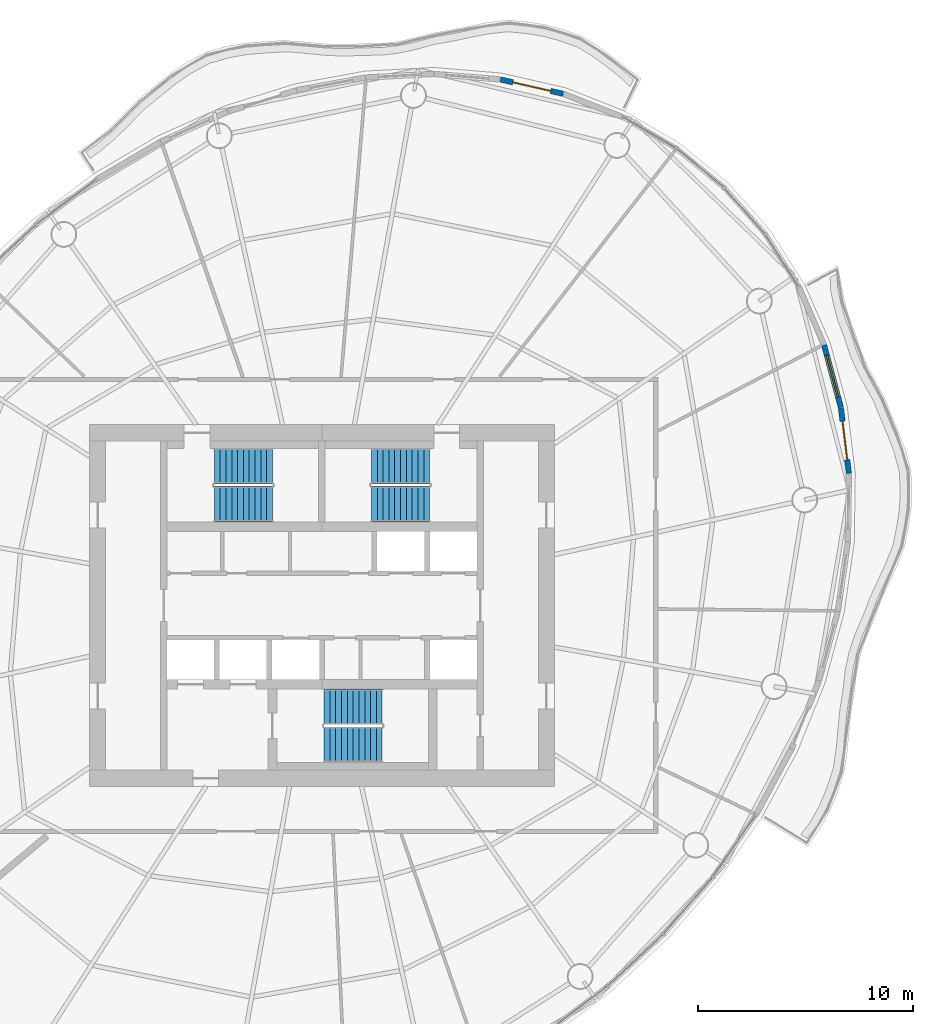
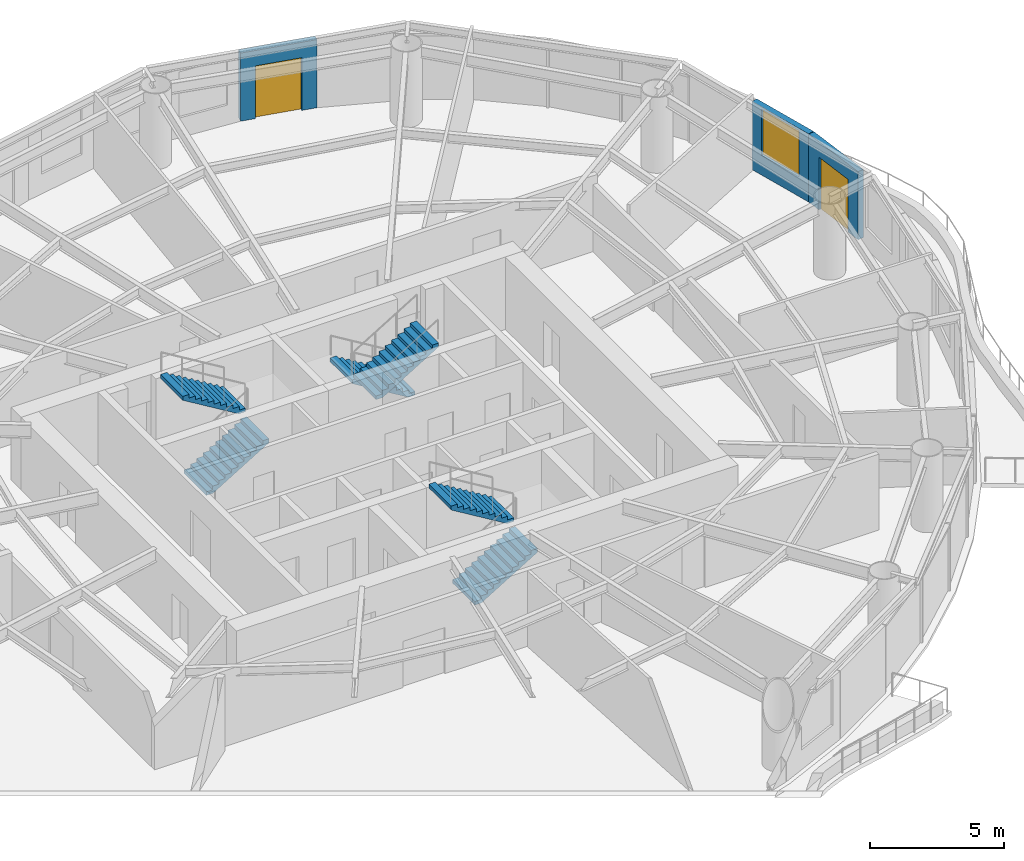
# One storey, part 11 of 14: 6 stair flights, 3 walls, 2 doors, 1 window, 3 openings, 3 elements without a shape of their own.
"""IFC4 building model written with IfcOpenShell, lengths in metres."""

from ifc_helpers import new_model, si_unit, direction, frame, frame_2d, origin, place, context, subcontext, project, spatial, polyline, rectangle, outline, extrude, material, layer, layer_set, type_object, element, fill, aggregate, save


model = new_model("IFC4")

# Units and contexts
model_context = context("Model", 3, precision=1e-05, world=origin(), true_north=direction((0.0, 1.0)))
body_context = subcontext(model_context, "Body", "Model", "MODEL_VIEW")
ifc_project = project(units=[si_unit("LENGTHUNIT", "METRE"), si_unit("AREAUNIT", "SQUARE_METRE"), si_unit("VOLUMEUNIT", "CUBIC_METRE"), si_unit("PLANEANGLEUNIT", "RADIAN"), si_unit("MASSUNIT", "GRAM", prefix="KILO")], contexts=[model_context])

# Site, building, storey
site_placement = place(None, origin())
site = spatial("IfcSite", under=ifc_project, at=site_placement, CompositionType="ELEMENT")
building_placement = place(site_placement, origin())
building = spatial("IfcBuilding", under=site, at=building_placement, Name="Vermilion Reach Broadcast Tower", CompositionType="ELEMENT")
storey_placement = place(building_placement, frame((0.0, 0.0, 217.300048828125)))
storey = spatial("IfcBuildingStorey", under=building, at=storey_placement, Name="L53", CompositionType="ELEMENT", Elevation=217.300048828125)

# Wall, opening, door
ifc_material_1 = material(Name="Terracotta rainscreen cladding", Category="masonry")
ifc_layer = layer(ifc_material_1, 0.25)
ifc_layer_set = layer_set([ifc_layer], Name="Terracotta rainscreen wall 250")
wall_type = type_object("IfcWallType", Name="Terracotta rainscreen wall 250", PredefinedType="SOLIDWALL", material=ifc_layer_set)
wall_1_placement = place(storey_placement, frame((5.20166015625, 23.76708984375, 0.0), z_axis=(0.0, 0.0, 1.0), x_axis=(-0.974849372508, 0.222864759263, 0.0)))
wall_1 = element("IfcWall", 1, at=wall_1_placement, inside=storey, type_object=wall_type, Name="External wall L53 03", PredefinedType="SOLIDWALL", context=body_context, shape_type="SweptSolid", body=[
    extrude(rectangle(XDim=2.986328125, YDim=0.25, at=frame_2d((1.4931640625, 0.0))), origin(), (0.0, 0.0, 1.0), 3.099853515625),
])
opening_1_placement = place(wall_1_placement, frame((0.593017578125, 0.0, 0.0)))
opening_1 = element("IfcOpeningElement", 2, at=opening_1_placement, cuts=wall_1, Name="Opening D70", PredefinedType="OPENING", context=body_context, shape_type="SweptSolid", body=[
    extrude(rectangle(XDim=1.800048828125, YDim=2.39990234375, at=frame_2d((0.89990234375, 1.199951171875))), frame((0.0, 0.135009765625, 0.0), z_axis=(0.0, -1.0, 0.0), x_axis=(1.0, 0.0, 0.0)), (0.0, 0.0, 1.0), 0.27001953125),
])
ifc_material_2 = material(Name="Low-e laminated clear glass in aluminium frame", Category="aluminium")
door_type = type_object("IfcDoorType", Name="Balcony sliding door 1800 x 2400", OperationType="DOUBLE_DOOR_SLIDING", PredefinedType="DOOR", material=ifc_material_2)
door_1_placement = place(opening_1_placement, origin())
door_1 = element("IfcDoor", 3, at=door_1_placement, inside=storey, type_object=door_type, Name="Balcony door L53 run 01", OperationType="DOUBLE_DOOR_SLIDING", OverallHeight=2.39990234375, OverallWidth=1.800048828125, PredefinedType="DOOR", context=body_context, shape_type="SweptSolid", body=[
    extrude(rectangle(XDim=1.800048828125, YDim=2.39990234375, at=frame_2d((0.89990234375, 1.199951171875))), frame((0.0, 0.02490234375, 0.0), z_axis=(0.0, -1.0, 0.0), x_axis=(1.0, 0.0, 0.0)), (0.0, 0.0, 1.0), 0.050048828125),
])
fill(opening_1, door_1)

wall_2_placement = place(storey_placement, frame((18.475341796875, 6.13720703125, 0.0), z_axis=(0.0, 0.0, 1.0), x_axis=(-0.119946033094, 0.992780413357, 0.0)))
wall_2 = element("IfcWall", 4, at=wall_2_placement, inside=storey, type_object=wall_type, Name="External wall L53 43", PredefinedType="SOLIDWALL", context=body_context, shape_type="SweptSolid", body=[
    extrude(rectangle(XDim=3.0654296875, YDim=0.25, at=frame_2d((1.53271484375, 0.0))), origin(), (0.0, 0.0, 1.0), 3.099853515625),
])
opening_2_placement = place(wall_2_placement, frame((0.633056640625, 0.0, 0.0)))
opening_2 = element("IfcOpeningElement", 5, at=opening_2_placement, cuts=wall_2, Name="Opening D70", PredefinedType="OPENING", context=body_context, shape_type="SweptSolid", body=[
    extrude(rectangle(XDim=1.800048828125, YDim=2.39990234375, at=frame_2d((0.89990234375, 1.199951171875))), frame((0.0, 0.135009765625, 0.0), z_axis=(0.0, -1.0, 0.0), x_axis=(1.0, 0.0, 0.0)), (0.0, 0.0, 1.0), 0.27001953125),
])
door_2_placement = place(opening_2_placement, origin())
door_2 = element("IfcDoor", 6, at=door_2_placement, inside=storey, type_object=door_type, Name="Balcony door L53 run 11", OperationType="DOUBLE_DOOR_SLIDING", OverallHeight=2.39990234375, OverallWidth=1.800048828125, PredefinedType="DOOR", context=body_context, shape_type="SweptSolid", body=[
    extrude(rectangle(XDim=1.800048828125, YDim=2.39990234375, at=frame_2d((0.89990234375, 1.199951171875))), frame((0.0, 0.02490234375, 0.0), z_axis=(0.0, -1.0, 0.0), x_axis=(1.0, 0.0, 0.0)), (0.0, 0.0, 1.0), 0.050048828125),
])
fill(opening_2, door_2)

# Wall, opening, window
wall_3_placement = place(storey_placement, frame((18.102783203125, 9.20556640625, 0.0), z_axis=(0.0, 0.0, 1.0), x_axis=(-0.25942805707, 0.965762436215, 0.0)))
wall_3 = element("IfcWall", 7, at=wall_3_placement, inside=storey, type_object=wall_type, Name="External wall L53 44", PredefinedType="SOLIDWALL", context=body_context, shape_type="SweptSolid", body=[
    extrude(rectangle(XDim=2.986083984375, YDim=0.25, at=frame_2d((1.4931640625, 0.0))), origin(), (0.0, 0.0, 1.0), 3.099853515625),
])
opening_3_placement = place(wall_3_placement, frame((0.4931640625, 0.0, 0.89990234375)))
opening_3 = element("IfcOpeningElement", 8, at=opening_3_placement, cuts=wall_3, Name="Opening W03", PredefinedType="OPENING", context=body_context, shape_type="SweptSolid", body=[
    extrude(rectangle(XDim=2.0, YDim=2.10009765625, at=frame_2d((1.0, 1.050048828125))), frame((0.0, 0.135009765625, 0.0), z_axis=(0.0, -1.0, 0.0), x_axis=(1.0, 0.0, 0.0)), (0.0, 0.0, 1.0), 0.27001953125),
])
ifc_material_3 = material(Name="Low-e laminated clear glass in aluminium frame", Category="aluminium")
window_type = type_object("IfcWindowType", Name="Punched window 2000 x 2100 sill 900", PartitioningType="SINGLE_PANEL", PredefinedType="WINDOW", material=ifc_material_3)
window_placement = place(opening_3_placement, origin())
window = element("IfcWindow", 9, at=window_placement, inside=storey, type_object=window_type, Name="Window L53 44", OverallHeight=2.10009765625, OverallWidth=2.0, PartitioningType="SINGLE_PANEL", PredefinedType="WINDOW", context=body_context, shape_type="SweptSolid", body=[
    extrude(rectangle(XDim=2.0, YDim=2.10009765625, at=frame_2d((1.0, 1.050048828125))), frame((0.0, 0.030029296875, 0.0), z_axis=(0.0, -1.0, 0.0), x_axis=(1.0, 0.0, 0.0)), (0.0, 0.0, 1.0), 0.06005859375),
])
fill(opening_3, window)

# Stair, stair flights
ifc_material_4 = material(Name="Concrete C40", Category="concrete")
stair_type = type_object("IfcStairType", Name="Exit stair RC 22 risers 164 mm", PredefinedType="HALF_TURN_STAIR", material=ifc_material_4)
placement = place(storey_placement, origin())
stair_1 = element("IfcStair", 10, at=placement, inside=storey, type_object=stair_type, Name="L53 Exit stair ST1", PredefinedType="HALF_TURN_STAIR")
ifc_material_5 = material(Name="Concrete C40", Category="concrete")
stair_flight_type = type_object("IfcStairFlightType", Name="Exit stair flight RC 11 risers", PredefinedType="STRAIGHT", material=ifc_material_5)
stair_flight_1_placement = place(storey_placement, frame((-11.0, 4.7099609375, 0.0), z_axis=(0.0, 0.0, 1.0), x_axis=(1.0, 0.0, 0.0)))
stair_flight_1 = element("IfcStairFlight", 11, at=stair_flight_1_placement, type_object=stair_flight_type, Name="ST1 flight 1", NumberOfRisers=11, NumberOfTreads=10, PredefinedType="STRAIGHT", RiserHeight=0.163636364, TreadLength=0.27, context=body_context, shape_type="SweptSolid", body=[
    extrude(outline(polyline([(0.0, 0.0), (0.0, 0.16357421875), (0.27001953125, 0.16357421875), (0.27001953125, 0.327392578125), (0.5400390625, 0.327392578125), (0.5400390625, 0.490966796875), (0.81005859375, 0.490966796875), (0.81005859375, 0.654541015625), (1.080078125, 0.654541015625), (1.080078125, 0.818115234375), (1.35009765625, 0.818115234375), (1.35009765625, 0.98193359375), (1.6201171875, 0.98193359375), (1.6201171875, 1.1455078125), (1.889892578125, 1.1455078125), (1.889892578125, 1.30908203125), (2.159912109375, 1.30908203125), (2.159912109375, 1.47265625), (2.429931640625, 1.47265625), (2.429931640625, 1.636474609375), (2.699951171875, 1.636474609375), (2.699951171875, 1.800048828125), (2.699951171875, 1.461181640625), (0.289306640625, 0.0), (0.0, 0.0)])), frame((0.0, 0.830078125, 0.0), z_axis=(0.0, -1.0, 0.0), x_axis=(1.0, 0.0, 0.0)), (0.0, 0.0, 1.0), 1.659912109375),
])
stair_flight_2_placement = place(storey_placement, frame((-8.300048828125, 6.469970703125, 1.800048828125), z_axis=(0.0, 0.0, 1.0), x_axis=(-1.0, 0.0, 0.0)))
stair_flight_2 = element("IfcStairFlight", 12, at=stair_flight_2_placement, type_object=stair_flight_type, Name="ST1 flight 2", NumberOfRisers=11, NumberOfTreads=10, PredefinedType="STRAIGHT", RiserHeight=0.163636364, TreadLength=0.27, context=body_context, shape_type="SweptSolid", body=[
    extrude(outline(polyline([(0.0, 0.0), (0.0, 0.16357421875), (0.27001953125, 0.16357421875), (0.27001953125, 0.327392578125), (0.5400390625, 0.327392578125), (0.5400390625, 0.490966796875), (0.81005859375, 0.490966796875), (0.81005859375, 0.654541015625), (1.080078125, 0.654541015625), (1.080078125, 0.818115234375), (1.35009765625, 0.818115234375), (1.35009765625, 0.98193359375), (1.6201171875, 0.98193359375), (1.6201171875, 1.1455078125), (1.889892578125, 1.1455078125), (1.889892578125, 1.30908203125), (2.159912109375, 1.30908203125), (2.159912109375, 1.47265625), (2.429931640625, 1.47265625), (2.429931640625, 1.636474609375), (2.699951171875, 1.636474609375), (2.699951171875, 1.800048828125), (2.699951171875, 1.461181640625), (0.289306640625, 0.0), (0.0, 0.0)])), frame((0.0, 0.830078125, 0.0), z_axis=(0.0, -1.0, 0.0), x_axis=(1.0, 0.0, 0.0)), (0.0, 0.0, 1.0), 1.659912109375),
])
aggregate(stair_1, [stair_flight_1, stair_flight_2])

stair_2 = element("IfcStair", 13, at=placement, inside=storey, type_object=stair_type, Name="L53 Exit stair ST2", PredefinedType="HALF_TURN_STAIR")
stair_flight_3_placement = place(storey_placement, frame((-1.0, 6.469970703125, 0.0), z_axis=(0.0, 0.0, 1.0), x_axis=(-1.0, 0.0, 0.0)))
stair_flight_3 = element("IfcStairFlight", 14, at=stair_flight_3_placement, type_object=stair_flight_type, Name="ST2 flight 1", NumberOfRisers=11, NumberOfTreads=10, PredefinedType="STRAIGHT", RiserHeight=0.163636364, TreadLength=0.27, context=body_context, shape_type="SweptSolid", body=[
    extrude(outline(polyline([(0.0, 0.0), (0.0, 0.16357421875), (0.27001953125, 0.16357421875), (0.27001953125, 0.327392578125), (0.5400390625, 0.327392578125), (0.5400390625, 0.490966796875), (0.81005859375, 0.490966796875), (0.81005859375, 0.654541015625), (1.080078125, 0.654541015625), (1.080078125, 0.818115234375), (1.35009765625, 0.818115234375), (1.35009765625, 0.98193359375), (1.6201171875, 0.98193359375), (1.6201171875, 1.1455078125), (1.889892578125, 1.1455078125), (1.889892578125, 1.30908203125), (2.159912109375, 1.30908203125), (2.159912109375, 1.47265625), (2.429931640625, 1.47265625), (2.429931640625, 1.636474609375), (2.699951171875, 1.636474609375), (2.699951171875, 1.800048828125), (2.699951171875, 1.461181640625), (0.289306640625, 0.0), (0.0, 0.0)])), frame((0.0, 0.830078125, 0.0), z_axis=(0.0, -1.0, 0.0), x_axis=(1.0, 0.0, 0.0)), (0.0, 0.0, 1.0), 1.659912109375),
])
stair_flight_4_placement = place(storey_placement, frame((-3.699951171875, 4.7099609375, 1.800048828125), z_axis=(0.0, 0.0, 1.0), x_axis=(1.0, 0.0, 0.0)))
stair_flight_4 = element("IfcStairFlight", 15, at=stair_flight_4_placement, type_object=stair_flight_type, Name="ST2 flight 2", NumberOfRisers=11, NumberOfTreads=10, PredefinedType="STRAIGHT", RiserHeight=0.163636364, TreadLength=0.27, context=body_context, shape_type="SweptSolid", body=[
    extrude(outline(polyline([(0.0, 0.0), (0.0, 0.16357421875), (0.27001953125, 0.16357421875), (0.27001953125, 0.327392578125), (0.5400390625, 0.327392578125), (0.5400390625, 0.490966796875), (0.81005859375, 0.490966796875), (0.81005859375, 0.654541015625), (1.080078125, 0.654541015625), (1.080078125, 0.818115234375), (1.35009765625, 0.818115234375), (1.35009765625, 0.98193359375), (1.6201171875, 0.98193359375), (1.6201171875, 1.1455078125), (1.889892578125, 1.1455078125), (1.889892578125, 1.30908203125), (2.159912109375, 1.30908203125), (2.159912109375, 1.47265625), (2.429931640625, 1.47265625), (2.429931640625, 1.636474609375), (2.699951171875, 1.636474609375), (2.699951171875, 1.800048828125), (2.699951171875, 1.461181640625), (0.289306640625, 0.0), (0.0, 0.0)])), frame((0.0, 0.830078125, 0.0), z_axis=(0.0, -1.0, 0.0), x_axis=(1.0, 0.0, 0.0)), (0.0, 0.0, 1.0), 1.659912109375),
])
aggregate(stair_2, [stair_flight_3, stair_flight_4])

stair_3 = element("IfcStair", 16, at=placement, inside=storey, type_object=stair_type, Name="L53 Exit stair ST3", PredefinedType="HALF_TURN_STAIR")
stair_flight_5_placement = place(storey_placement, frame((-5.89990234375, -6.469970703125, 0.0), z_axis=(0.0, 0.0, 1.0), x_axis=(1.0, 0.0, 0.0)))
stair_flight_5 = element("IfcStairFlight", 17, at=stair_flight_5_placement, type_object=stair_flight_type, Name="ST3 flight 1", NumberOfRisers=11, NumberOfTreads=10, PredefinedType="STRAIGHT", RiserHeight=0.163636364, TreadLength=0.27, context=body_context, shape_type="SweptSolid", body=[
    extrude(outline(polyline([(0.0, 0.0), (0.0, 0.16357421875), (0.27001953125, 0.16357421875), (0.27001953125, 0.327392578125), (0.5400390625, 0.327392578125), (0.5400390625, 0.490966796875), (0.81005859375, 0.490966796875), (0.81005859375, 0.654541015625), (1.080078125, 0.654541015625), (1.080078125, 0.818115234375), (1.35009765625, 0.818115234375), (1.35009765625, 0.98193359375), (1.6201171875, 0.98193359375), (1.6201171875, 1.1455078125), (1.889892578125, 1.1455078125), (1.889892578125, 1.30908203125), (2.159912109375, 1.30908203125), (2.159912109375, 1.47265625), (2.429931640625, 1.47265625), (2.429931640625, 1.636474609375), (2.699951171875, 1.636474609375), (2.699951171875, 1.800048828125), (2.699951171875, 1.461181640625), (0.289306640625, 0.0), (0.0, 0.0)])), frame((0.0, 0.830078125, 0.0), z_axis=(0.0, -1.0, 0.0), x_axis=(1.0, 0.0, 0.0)), (0.0, 0.0, 1.0), 1.659912109375),
])
stair_flight_6_placement = place(storey_placement, frame((-3.199951171875, -4.7099609375, 1.800048828125), z_axis=(0.0, 0.0, 1.0), x_axis=(-1.0, 0.0, 0.0)))
stair_flight_6 = element("IfcStairFlight", 18, at=stair_flight_6_placement, type_object=stair_flight_type, Name="ST3 flight 2", NumberOfRisers=11, NumberOfTreads=10, PredefinedType="STRAIGHT", RiserHeight=0.163636364, TreadLength=0.27, context=body_context, shape_type="SweptSolid", body=[
    extrude(outline(polyline([(0.0, 0.0), (0.0, 0.16357421875), (0.27001953125, 0.16357421875), (0.27001953125, 0.327392578125), (0.5400390625, 0.327392578125), (0.5400390625, 0.490966796875), (0.81005859375, 0.490966796875), (0.81005859375, 0.654541015625), (1.080078125, 0.654541015625), (1.080078125, 0.818115234375), (1.35009765625, 0.818115234375), (1.35009765625, 0.98193359375), (1.6201171875, 0.98193359375), (1.6201171875, 1.1455078125), (1.889892578125, 1.1455078125), (1.889892578125, 1.30908203125), (2.159912109375, 1.30908203125), (2.159912109375, 1.47265625), (2.429931640625, 1.47265625), (2.429931640625, 1.636474609375), (2.699951171875, 1.636474609375), (2.699951171875, 1.800048828125), (2.699951171875, 1.461181640625), (0.289306640625, 0.0), (0.0, 0.0)])), frame((0.0, 0.830078125, 0.0), z_axis=(0.0, -1.0, 0.0), x_axis=(1.0, 0.0, 0.0)), (0.0, 0.0, 1.0), 1.659912109375),
])
aggregate(stair_3, [stair_flight_5, stair_flight_6])

save(model, "model.ifc")
